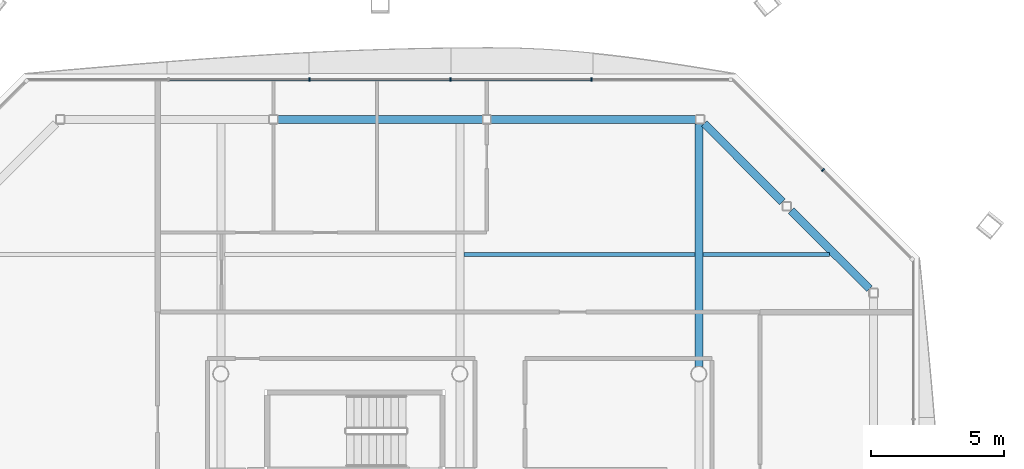
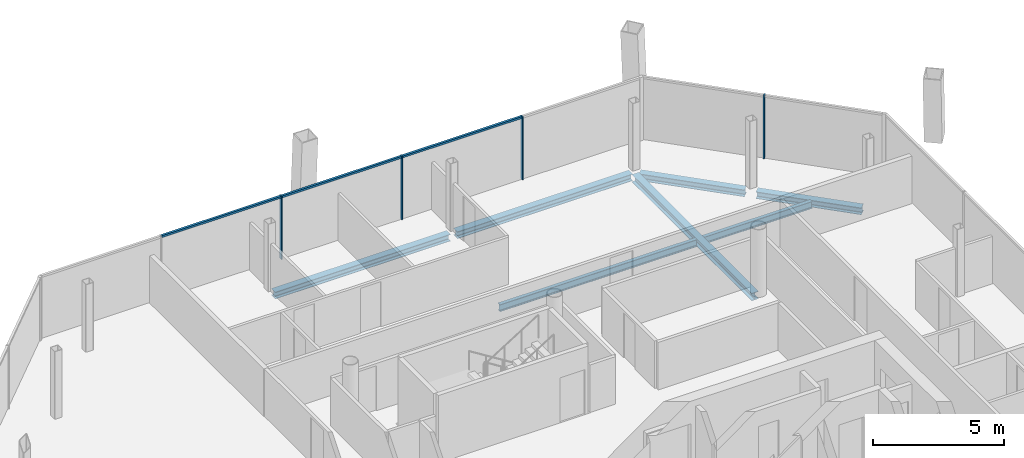
# One storey, part 11 of 20: 7 beams, 7 members, 2 elements without a shape of their own.
"""IFC4 building model written with IfcOpenShell, lengths in metres."""

import ifcopenshell
import ifcopenshell.guid

model = None  # the IFC model being written
_history = None  # IfcOwnerHistory: only IFC2X3 demands one
_inside = {}  # id of a spatial element -> (the spatial element, [elements in it])
_under = {}  # id of a project, library or spatial element -> (it, [spatial elements below it])
_declared = {}  # id of a project -> (the project, [libraries it declares])
_typed = {}  # id of a type object -> (the type object, [elements of that type])
_made_of = {}  # id of a material, layer set ... -> (it, [elements and type objects made of it])


def new_model(schema):
    """Start an empty IFC model of exactly this schema.

    Asked for "IFC4X3", IfcOpenShell would pick the latest addendum, in which some entities
    have other attributes; the version numbers below select the first issue.
    IFC2X3 requires an IfcOwnerHistory on every rooted entity: one is made here for all.
    """
    global model, _history
    if schema == "IFC4X3":
        model = ifcopenshell.file(schema_version=(4, 3, 0, 0))
    else:
        model = ifcopenshell.file(schema=schema)
    _inside.clear()
    _under.clear()
    _declared.clear()
    _typed.clear()
    _made_of.clear()
    _history = None
    if model.schema == "IFC2X3":
        org = make("IfcOrganization", Name="unknown")
        user = make(
            "IfcPersonAndOrganization",
            ThePerson=make("IfcPerson", FamilyName="unknown"),
            TheOrganization=org,
        )
        app = make(
            "IfcApplication",
            ApplicationDeveloper=org,
            Version="unknown",
            ApplicationFullName="unknown",
            ApplicationIdentifier="unknown",
        )
        _history = make(
            "IfcOwnerHistory",
            OwningUser=user,
            OwningApplication=app,
            ChangeAction="ADDED",
            CreationDate=0,
        )
    return model


def make(cls, **values):
    """One entity of the class cls with the attributes given. An attribute that is None is left unset."""
    return model.create_entity(
        cls, **{name: value for name, value in values.items() if value is not None}
    )


def rooted(cls, **values):
    """An entity with a GlobalId (a new one), such as an element, a storey or a relation."""
    return make(cls, GlobalId=ifcopenshell.guid.new(), OwnerHistory=_history, **values)


def si_unit(unit_type, name, prefix=None):
    """IfcSIUnit, for example si_unit("LENGTHUNIT", "METRE", prefix="MILLI")."""
    return make("IfcSIUnit", UnitType=unit_type, Prefix=prefix, Name=name)


def assignment(units):
    """IfcUnitAssignment: the units of a project."""
    return None if units is None else make("IfcUnitAssignment", Units=units)


def point(xyz):
    """IfcCartesianPoint."""
    return None if xyz is None else make("IfcCartesianPoint", Coordinates=xyz)


def direction(xyz):
    """IfcDirection."""
    return None if xyz is None else make("IfcDirection", DirectionRatios=xyz)


def frame(location, z_axis=None, x_axis=None):
    """IfcAxis2Placement3D, a coordinate frame: its origin and axes. An axis left out is left unset."""
    return make(
        "IfcAxis2Placement3D",
        Location=point(location),
        Axis=direction(z_axis),
        RefDirection=direction(x_axis),
    )


def frame_2d(location, x_axis=None):
    """IfcAxis2Placement2D, a coordinate frame in the plane: its origin and x axis."""
    return make(
        "IfcAxis2Placement2D", Location=point(location), RefDirection=direction(x_axis)
    )


def origin():
    """The frame at (0, 0, 0) with its axes left unset."""
    return frame((0.0, 0.0, 0.0))


def origin_2d():
    """The frame at (0, 0) in the plane with its x axis left unset."""
    return frame_2d((0.0, 0.0))


def place(relative_to, where):
    """IfcLocalPlacement: puts the frame where relative to a parent placement (None: the world)."""
    return make(
        "IfcLocalPlacement", PlacementRelTo=relative_to, RelativePlacement=where
    )


def context(
    kind, dimensions, precision=None, world=None, true_north=None, identifier=None
):
    """IfcGeometricRepresentationContext, for example the 3D "Model" context."""
    return make(
        "IfcGeometricRepresentationContext",
        ContextIdentifier=identifier,
        ContextType=kind,
        CoordinateSpaceDimension=dimensions,
        Precision=precision,
        WorldCoordinateSystem=world,
        TrueNorth=true_north,
    )


def subcontext(parent, identifier, kind, view, scale=None):
    """IfcGeometricRepresentationSubContext, for example "Body" below "Model"."""
    return make(
        "IfcGeometricRepresentationSubContext",
        ContextIdentifier=identifier,
        ContextType=kind,
        ParentContext=parent,
        TargetScale=scale,
        TargetView=view,
    )


def project(units=None, contexts=None):
    """IfcProject with its units and contexts."""
    return rooted(
        "IfcProject",
        Name="project",
        RepresentationContexts=contexts,
        UnitsInContext=assignment(units),
    )


def spatial(cls, under=None, at=None, **own):
    """A site, building, storey or space (cls), placed at a placement, below another one or the project."""
    s = rooted(cls, ObjectPlacement=at, **own)
    if under is not None:
        _under.setdefault(under.id(), (under, []))[1].append(s)
    return s


def profile(cls, at=None, kind="AREA", **sizes):
    """A parametric profile (cls). Its sizes go by their IFC names, for example OverallWidth=200.0."""
    return make(cls, ProfileType=kind, Position=at, **sizes)


def rectangle(**sizes):
    """IfcRectangleProfileDef."""
    return profile("IfcRectangleProfileDef", **sizes)


def i_section(**sizes):
    """IfcIShapeProfileDef."""
    return profile("IfcIShapeProfileDef", **sizes)


def extrude(swept, where, along, depth):
    """IfcExtrudedAreaSolid: the profile swept, set in the frame where, extruded along a direction by depth."""
    return make(
        "IfcExtrudedAreaSolid",
        SweptArea=swept,
        Position=where,
        ExtrudedDirection=direction(along),
        Depth=depth,
    )


def shape(context_of_items, identifier, shape_type, items):
    """IfcShapeRepresentation: the items that make up one representation, for example the "Body"."""
    return make(
        "IfcShapeRepresentation",
        ContextOfItems=context_of_items,
        RepresentationIdentifier=identifier,
        RepresentationType=shape_type,
        Items=items,
    )


def material(Name=None, Category=None):
    """IfcMaterial."""
    return make("IfcMaterial", Name=Name, Category=Category)


def material_profile(
    of_material, cross_section, Name=None, Category=None, Priority=None
):
    """IfcMaterialProfile: a cross section and its material."""
    return make(
        "IfcMaterialProfile",
        Name=Name,
        Material=of_material,
        Profile=cross_section,
        Priority=Priority,
        Category=Category,
    )


def profile_set(profiles, Name=None, composite=None):
    """IfcMaterialProfileSet."""
    return make(
        "IfcMaterialProfileSet",
        Name=Name,
        MaterialProfiles=profiles,
        CompositeProfile=composite,
    )


def made_of(thing, what):
    """Note that an element or type object is made of a material, layer set ...; save() writes the relation."""
    if what is not None:
        _made_of.setdefault(what.id(), (what, []))[1].append(thing)
    return thing


def type_object(cls, material=None, **own):
    """A type object (cls), such as IfcWallType, which elements share."""
    return made_of(rooted(cls, **own), material)


def element(
    cls,
    number,
    at=None,
    inside=None,
    cuts=None,
    type_object=None,
    material=None,
    context=None,
    identifier="Body",
    shape_type=None,
    held_by="IfcProductDefinitionShape",
    body=None,
    shapes=None,
    **own,
):
    """One element of the class cls, such as IfcWall. Its Tag is "e" and its number.

    at: its placement. inside: the storey or other place that contains it. cuts: it is an
    opening in that element (IfcRelVoidsElement). A single representation is given by context,
    identifier, shape_type and body (its items); several are given by shapes. held_by: the class
    of the entity that holds the representations. save() writes the other relations.
    """
    e = rooted(cls, Tag="e%d" % number, ObjectPlacement=at, **own)
    if body is not None:
        shapes = [shape(context, identifier, shape_type, body)]
    if shapes is not None:
        e.Representation = make(held_by, Representations=shapes)
    if inside is not None:
        _inside.setdefault(inside.id(), (inside, []))[1].append(e)
    if cuts is not None:
        rooted(
            "IfcRelVoidsElement", RelatingBuildingElement=cuts, RelatedOpeningElement=e
        )
    if type_object is not None:
        _typed.setdefault(type_object.id(), (type_object, []))[1].append(e)
    return made_of(e, material)


def aggregate(whole, parts):
    """IfcRelAggregates: a whole, such as a stair, and the parts it consists of."""
    return rooted("IfcRelAggregates", RelatingObject=whole, RelatedObjects=parts)


def save(model, path):
    """Write the relations noted so far, then the file.

    IfcRelAggregates (storeys below a building ...), IfcRelContainedInSpatialStructure (elements
    in a storey), IfcRelDefinesByType, IfcRelAssociatesMaterial and IfcRelDeclares: one each for
    every whole, place, type object, material and project.
    """
    for whole, parts in _under.values():
        aggregate(whole, parts)
    for where, things in _inside.values():
        rooted(
            "IfcRelContainedInSpatialStructure",
            RelatedElements=things,
            RelatingStructure=where,
        )
    for kind, things in _typed.values():
        rooted("IfcRelDefinesByType", RelatedObjects=things, RelatingType=kind)
    for what, things in _made_of.values():
        rooted("IfcRelAssociatesMaterial", RelatedObjects=things, RelatingMaterial=what)
    for by, libraries in _declared.values():
        rooted("IfcRelDeclares", RelatingContext=by, RelatedDefinitions=libraries)
    model.write(path)


model = new_model("IFC4")

# Units and contexts
model_context = context("Model", 3, precision=1e-05, world=origin(), true_north=direction((0.0, 1.0)))
body_context = subcontext(model_context, "Body", "Model", "MODEL_VIEW")
ifc_project = project(units=[si_unit("LENGTHUNIT", "METRE"), si_unit("AREAUNIT", "SQUARE_METRE"), si_unit("VOLUMEUNIT", "CUBIC_METRE"), si_unit("PLANEANGLEUNIT", "RADIAN"), si_unit("MASSUNIT", "GRAM", prefix="KILO")], contexts=[model_context])

# Site, building, storey
site_placement = place(None, origin())
site = spatial("IfcSite", under=ifc_project, at=site_placement, CompositionType="ELEMENT")
building_placement = place(site_placement, origin())
building = spatial("IfcBuilding", under=site, at=building_placement, Name="Tskaro Facet Tower", CompositionType="ELEMENT")
storey_placement = place(building_placement, frame((0.0, 0.0, 194.25)))
storey = spatial("IfcBuildingStorey", under=building, at=storey_placement, Name="L49", CompositionType="ELEMENT", Elevation=194.25)

# Curtain wall, member
ifc_material_1 = material(Name="Bronze anodised aluminium 6063-T6", Category="aluminium")
curtain_wall_type = type_object("IfcCurtainWallType", Name="Bronze residence curtain wall (FW3)", PredefinedType="NOTDEFINED", material=ifc_material_1)
curtain_wall_1_placement = place(storey_placement, origin())
curtain_wall_1 = element("IfcCurtainWall", 1, at=curtain_wall_1_placement, inside=storey, type_object=curtain_wall_type, Name="FW3 north-east facet L49", PredefinedType="NOTDEFINED")
ifc_material_profile_1 = material_profile(ifc_material_1, rectangle(XDim=0.050048828125, YDim=0.139892578125, at=origin_2d()), Name="Mullion 50x140")
ifc_profile_set_1 = profile_set([ifc_material_profile_1], Name="Bronze anodised aluminium 6063-T6")
member_type_1 = type_object("IfcMemberType", Name="FW3 bronze mullion 50x140", PredefinedType="MULLION", material=ifc_profile_set_1)
member_1_placement = place(storey_placement, frame((13.675048828125, 16.675048828125, 0.0), z_axis=(0.0, 0.0, 1.0), x_axis=(-0.707106781187, 0.707106781187, 0.0)))
member_1 = element("IfcMember", 2, at=member_1_placement, type_object=member_type_1, Name="FW3 north-east mullion 1", PredefinedType="MULLION", context=body_context, shape_type="SweptSolid", body=[
    extrude(rectangle(XDim=0.050048828125, YDim=0.139892578125, at=origin_2d()), origin(), (0.0, 0.0, 1.0), 2.949951171875),
])
aggregate(curtain_wall_1, [member_1])

# Curtain wall, members
curtain_wall_2_placement = place(storey_placement, origin())
curtain_wall_2 = element("IfcCurtainWall", 3, at=curtain_wall_2_placement, inside=storey, type_object=curtain_wall_type, Name="FW3 north facet L49", PredefinedType="NOTDEFINED")
member_2_placement = place(storey_placement, frame((4.9619140625, 20.080078125, 0.0), z_axis=(0.0, 0.0, 1.0), x_axis=(-1.0, 0.0, 0.0)))
member_2 = element("IfcMember", 4, at=member_2_placement, type_object=member_type_1, Name="FW3 north mullion 1", PredefinedType="MULLION", context=body_context, shape_type="SweptSolid", body=[
    extrude(rectangle(XDim=0.050048828125, YDim=0.139892578125, at=origin_2d()), origin(), (0.0, 0.0, 1.0), 2.949951171875),
])
member_3_placement = place(storey_placement, frame((-0.345947265625, 20.080078125, 0.0), z_axis=(0.0, 0.0, 1.0), x_axis=(-1.0, 0.0, 0.0)))
member_3 = element("IfcMember", 5, at=member_3_placement, type_object=member_type_1, Name="FW3 north mullion 2", PredefinedType="MULLION", context=body_context, shape_type="SweptSolid", body=[
    extrude(rectangle(XDim=0.050048828125, YDim=0.139892578125, at=origin_2d()), origin(), (0.0, 0.0, 1.0), 2.949951171875),
])
member_4_placement = place(storey_placement, frame((-5.654052734375, 20.080078125, 0.0), z_axis=(0.0, 0.0, 1.0), x_axis=(-1.0, 0.0, 0.0)))
member_4 = element("IfcMember", 6, at=member_4_placement, type_object=member_type_1, Name="FW3 north mullion 3", PredefinedType="MULLION", context=body_context, shape_type="SweptSolid", body=[
    extrude(rectangle(XDim=0.050048828125, YDim=0.139892578125, at=origin_2d()), origin(), (0.0, 0.0, 1.0), 2.949951171875),
])
ifc_material_profile_2 = material_profile(ifc_material_1, rectangle(XDim=0.10009765625, YDim=0.090087890625, at=origin_2d()), Name="Transom 100x90")
ifc_profile_set_2 = profile_set([ifc_material_profile_2], Name="Bronze anodised aluminium 6063-T6")
member_type_2 = type_object("IfcMemberType", Name="FW3 bronze transom 100x90", PredefinedType="USERDEFINED", material=ifc_profile_set_2)
member_5_placement = place(storey_placement, frame((4.93701171875, 20.080078125, 2.905029296875), z_axis=(-1.0, 0.0, 0.0), x_axis=(0.0, -1.0, 0.0)))
member_5 = element("IfcMember", 7, at=member_5_placement, type_object=member_type_2, Name="FW3 north transom 2.1", ObjectType="TRANSOM", PredefinedType="USERDEFINED", context=body_context, shape_type="SweptSolid", body=[
    extrude(rectangle(XDim=0.10009765625, YDim=0.090087890625, at=origin_2d()), origin(), (0.0, 0.0, 1.0), 5.258056640625),
])
member_6_placement = place(storey_placement, frame((-0.37109375, 20.080078125, 2.905029296875), z_axis=(-1.0, 0.0, 0.0), x_axis=(0.0, -1.0, 0.0)))
member_6 = element("IfcMember", 8, at=member_6_placement, type_object=member_type_2, Name="FW3 north transom 3.1", ObjectType="TRANSOM", PredefinedType="USERDEFINED", context=body_context, shape_type="SweptSolid", body=[
    extrude(rectangle(XDim=0.10009765625, YDim=0.090087890625, at=origin_2d()), origin(), (0.0, 0.0, 1.0), 5.2578125),
])
member_7_placement = place(storey_placement, frame((-5.678955078125, 20.080078125, 2.905029296875), z_axis=(-1.0, 0.0, 0.0), x_axis=(0.0, -1.0, 0.0)))
member_7 = element("IfcMember", 9, at=member_7_placement, type_object=member_type_2, Name="FW3 north transom 4.1", ObjectType="TRANSOM", PredefinedType="USERDEFINED", context=body_context, shape_type="SweptSolid", body=[
    extrude(rectangle(XDim=0.10009765625, YDim=0.090087890625, at=origin_2d()), origin(), (0.0, 0.0, 1.0), 5.258056640625),
])
aggregate(curtain_wall_2, [member_2, member_3, member_4, member_5, member_6, member_7])

# Beams
ifc_material_2 = material(Name="Steel S355J2", Category="steel")
ifc_material_profile_3 = material_profile(ifc_material_2, i_section(OverallWidth=0.300048828125, OverallDepth=0.320068359375, WebThickness=0.011474609375, FlangeThickness=0.0205078125, FilletRadius=0.027099609375, at=origin_2d()), Name="HE 320 B")
ifc_profile_set_3 = profile_set([ifc_material_profile_3], Name="Steel S355J2")
beam_type_1 = type_object("IfcBeamType", Name="HE 320 B ring beam", PredefinedType="BEAM", material=ifc_profile_set_3)
for number, where, z_axis, x_axis, name in (
    (10, (15.422119140625, 12.206787109375, -0.300048828125), (-0.70722393913, 0.706989603829, 0.0), (-0.706989603829, -0.70722393913, 0.0), "HE 320 B EB10-4"),
    (11, (12.153076171875, 15.474853515625, -0.300048828125), (-0.706989603829, 0.70722393913, 0.0), (-0.70722393913, -0.706989603829, 0.0), "HE 320 B EB11-4"),
):
    element("IfcBeam", number, at=place(storey_placement, frame(where, z_axis=z_axis, x_axis=x_axis)), inside=storey, type_object=beam_type_1, Name=name, PredefinedType="BEAM", context=body_context, shape_type="SweptSolid", body=[
        extrude(i_section(OverallWidth=0.300048828125, OverallDepth=0.320068359375, WebThickness=0.011474609375, FlangeThickness=0.0205078125, FilletRadius=0.027099609375, at=origin_2d()), origin(), (0.0, 0.0, 1.0), 4.16748046875),
    ])
beam_1_placement = place(storey_placement, frame((8.89111328125, 18.5830078125, -0.300048828125), z_axis=(-1.0, 0.0, 0.0), x_axis=(0.0, -1.0, 0.0)))
element("IfcBeam", 12, at=beam_1_placement, inside=storey, type_object=beam_type_1, Name="HE 320 B EB12-4", PredefinedType="BEAM", context=body_context, shape_type="SweptSolid", body=[
    extrude(i_section(OverallWidth=0.300048828125, OverallDepth=0.320068359375, WebThickness=0.011474609375, FlangeThickness=0.0205078125, FilletRadius=0.027099609375, at=origin_2d()), origin(), (0.0, 0.0, 1.0), 7.72119140625),
])
beam_2_placement = place(storey_placement, frame((0.860107421875, 18.5830078125, -0.300048828125), z_axis=(-1.0, 0.0, 0.0), x_axis=(0.0, -1.0, 0.0)))
element("IfcBeam", 13, at=beam_2_placement, inside=storey, type_object=beam_type_1, Name="HE 320 B EB13-4", PredefinedType="BEAM", context=body_context, shape_type="SweptSolid", body=[
    extrude(i_section(OverallWidth=0.300048828125, OverallDepth=0.320068359375, WebThickness=0.011474609375, FlangeThickness=0.0205078125, FilletRadius=0.027099609375, at=origin_2d()), origin(), (0.0, 0.0, 1.0), 7.72021484375),
])
ifc_material_profile_4 = material_profile(ifc_material_2, i_section(OverallWidth=0.300048828125, OverallDepth=0.35009765625, WebThickness=0.010009765625, FlangeThickness=0.017578125, FilletRadius=0.027099609375, at=origin_2d()), Name="HE 360 A")
ifc_profile_set_4 = profile_set([ifc_material_profile_4], Name="Steel S355J2")
beam_type_2 = type_object("IfcBeamType", Name="HE 360 A girder", PredefinedType="BEAM", material=ifc_profile_set_4)
beam_3_placement = place(storey_placement, frame((9.0, 9.27490234375, -0.31494140625), z_axis=(0.0, 1.0, 0.0), x_axis=(-1.0, 0.0, 0.0)))
element("IfcBeam", 14, at=beam_3_placement, inside=storey, type_object=beam_type_2, Name="HE 360 A GB5-3-4", PredefinedType="BEAM", context=body_context, shape_type="SweptSolid", body=[
    extrude(i_section(OverallWidth=0.300048828125, OverallDepth=0.35009765625, WebThickness=0.010009765625, FlangeThickness=0.017578125, FilletRadius=0.027099609375, at=origin_2d()), origin(), (0.0, 0.0, 1.0), 9.14208984375),
])
ifc_material_profile_5 = material_profile(ifc_material_2, i_section(OverallWidth=0.159912109375, OverallDepth=0.330078125, WebThickness=0.007568359375, FlangeThickness=0.011474609375, FilletRadius=0.01806640625, at=origin_2d()), Name="IPE 330")
ifc_profile_set_5 = profile_set([ifc_material_profile_5], Name="Steel S355J2")
beam_type_3 = type_object("IfcBeamType", Name="IPE 330 secondary beam", PredefinedType="BEAM", material=ifc_profile_set_5)
beam_4_placement = place(storey_placement, frame((0.14990234375, 13.5, -0.304931640625), z_axis=(1.0, 0.0, 0.0), x_axis=(0.0, 1.0, 0.0)))
element("IfcBeam", 15, at=beam_4_placement, inside=storey, type_object=beam_type_3, Name="IPE 330 SB5a-4-4", PredefinedType="BEAM", context=body_context, shape_type="SweptSolid", body=[
    extrude(i_section(OverallWidth=0.159912109375, OverallDepth=0.330078125, WebThickness=0.007568359375, FlangeThickness=0.011474609375, FilletRadius=0.01806640625, at=origin_2d()), origin(), (0.0, 0.0, 1.0), 8.7001953125),
])
beam_5_placement = place(storey_placement, frame((9.14990234375, 13.5, -0.304931640625), z_axis=(1.0, 0.0, 0.0), x_axis=(0.0, 1.0, 0.0)))
element("IfcBeam", 16, at=beam_5_placement, inside=storey, type_object=beam_type_3, Name="IPE 330 SB5a-5-4", PredefinedType="BEAM", context=body_context, shape_type="SweptSolid", body=[
    extrude(i_section(OverallWidth=0.159912109375, OverallDepth=0.330078125, WebThickness=0.007568359375, FlangeThickness=0.011474609375, FilletRadius=0.01806640625, at=origin_2d()), origin(), (0.0, 0.0, 1.0), 4.76708984375),
])

save(model, "model.ifc")
